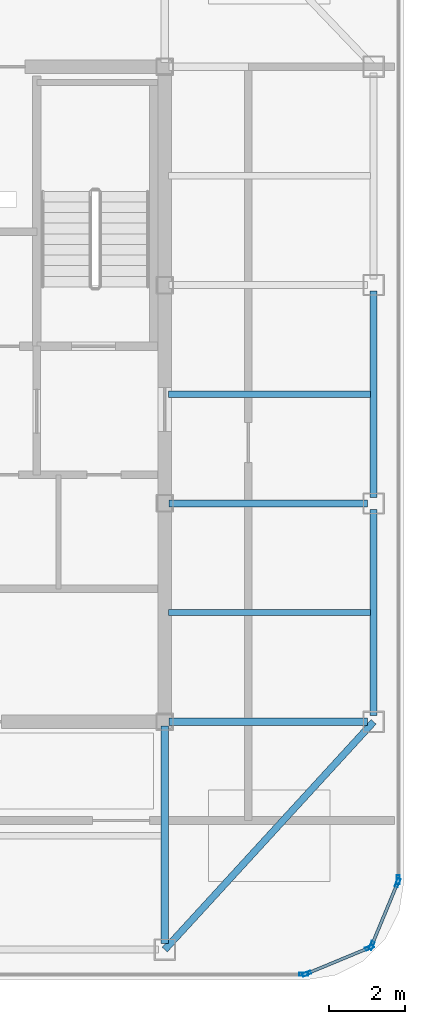
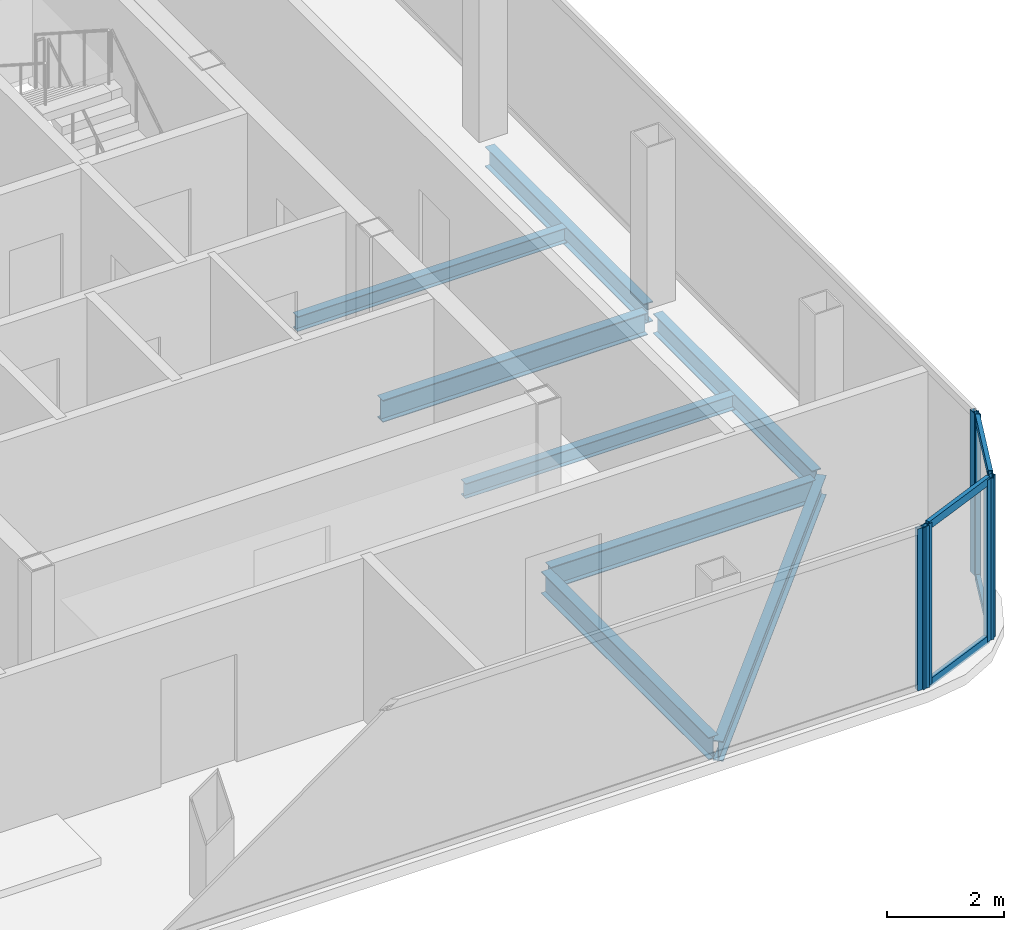
# One storey, part 4 of 11: 10 members, 8 beams, 4 elements without a shape of their own.
"""IFC4 building model written with IfcOpenShell, lengths in metres."""

import ifcopenshell
import ifcopenshell.guid

model = None  # the IFC model being written
_history = None  # IfcOwnerHistory: only IFC2X3 demands one
_inside = {}  # id of a spatial element -> (the spatial element, [elements in it])
_under = {}  # id of a project, library or spatial element -> (it, [spatial elements below it])
_declared = {}  # id of a project -> (the project, [libraries it declares])
_typed = {}  # id of a type object -> (the type object, [elements of that type])
_made_of = {}  # id of a material, layer set ... -> (it, [elements and type objects made of it])


def new_model(schema):
    """Start an empty IFC model of exactly this schema.

    Asked for "IFC4X3", IfcOpenShell would pick the latest addendum, in which some entities
    have other attributes; the version numbers below select the first issue.
    IFC2X3 requires an IfcOwnerHistory on every rooted entity: one is made here for all.
    """
    global model, _history
    if schema == "IFC4X3":
        model = ifcopenshell.file(schema_version=(4, 3, 0, 0))
    else:
        model = ifcopenshell.file(schema=schema)
    _inside.clear()
    _under.clear()
    _declared.clear()
    _typed.clear()
    _made_of.clear()
    _history = None
    if model.schema == "IFC2X3":
        org = make("IfcOrganization", Name="unknown")
        user = make(
            "IfcPersonAndOrganization",
            ThePerson=make("IfcPerson", FamilyName="unknown"),
            TheOrganization=org,
        )
        app = make(
            "IfcApplication",
            ApplicationDeveloper=org,
            Version="unknown",
            ApplicationFullName="unknown",
            ApplicationIdentifier="unknown",
        )
        _history = make(
            "IfcOwnerHistory",
            OwningUser=user,
            OwningApplication=app,
            ChangeAction="ADDED",
            CreationDate=0,
        )
    return model


def make(cls, **values):
    """One entity of the class cls with the attributes given. An attribute that is None is left unset."""
    return model.create_entity(
        cls, **{name: value for name, value in values.items() if value is not None}
    )


def rooted(cls, **values):
    """An entity with a GlobalId (a new one), such as an element, a storey or a relation."""
    return make(cls, GlobalId=ifcopenshell.guid.new(), OwnerHistory=_history, **values)


def si_unit(unit_type, name, prefix=None):
    """IfcSIUnit, for example si_unit("LENGTHUNIT", "METRE", prefix="MILLI")."""
    return make("IfcSIUnit", UnitType=unit_type, Prefix=prefix, Name=name)


def assignment(units):
    """IfcUnitAssignment: the units of a project."""
    return None if units is None else make("IfcUnitAssignment", Units=units)


def point(xyz):
    """IfcCartesianPoint."""
    return None if xyz is None else make("IfcCartesianPoint", Coordinates=xyz)


def direction(xyz):
    """IfcDirection."""
    return None if xyz is None else make("IfcDirection", DirectionRatios=xyz)


def frame(location, z_axis=None, x_axis=None):
    """IfcAxis2Placement3D, a coordinate frame: its origin and axes. An axis left out is left unset."""
    return make(
        "IfcAxis2Placement3D",
        Location=point(location),
        Axis=direction(z_axis),
        RefDirection=direction(x_axis),
    )


def frame_2d(location, x_axis=None):
    """IfcAxis2Placement2D, a coordinate frame in the plane: its origin and x axis."""
    return make(
        "IfcAxis2Placement2D", Location=point(location), RefDirection=direction(x_axis)
    )


def origin():
    """The frame at (0, 0, 0) with its axes left unset."""
    return frame((0.0, 0.0, 0.0))


def origin_2d():
    """The frame at (0, 0) in the plane with its x axis left unset."""
    return frame_2d((0.0, 0.0))


def place(relative_to, where):
    """IfcLocalPlacement: puts the frame where relative to a parent placement (None: the world)."""
    return make(
        "IfcLocalPlacement", PlacementRelTo=relative_to, RelativePlacement=where
    )


def context(
    kind, dimensions, precision=None, world=None, true_north=None, identifier=None
):
    """IfcGeometricRepresentationContext, for example the 3D "Model" context."""
    return make(
        "IfcGeometricRepresentationContext",
        ContextIdentifier=identifier,
        ContextType=kind,
        CoordinateSpaceDimension=dimensions,
        Precision=precision,
        WorldCoordinateSystem=world,
        TrueNorth=true_north,
    )


def subcontext(parent, identifier, kind, view, scale=None):
    """IfcGeometricRepresentationSubContext, for example "Body" below "Model"."""
    return make(
        "IfcGeometricRepresentationSubContext",
        ContextIdentifier=identifier,
        ContextType=kind,
        ParentContext=parent,
        TargetScale=scale,
        TargetView=view,
    )


def project(units=None, contexts=None):
    """IfcProject with its units and contexts."""
    return rooted(
        "IfcProject",
        Name="project",
        RepresentationContexts=contexts,
        UnitsInContext=assignment(units),
    )


def spatial(cls, under=None, at=None, **own):
    """A site, building, storey or space (cls), placed at a placement, below another one or the project."""
    s = rooted(cls, ObjectPlacement=at, **own)
    if under is not None:
        _under.setdefault(under.id(), (under, []))[1].append(s)
    return s


def profile(cls, at=None, kind="AREA", **sizes):
    """A parametric profile (cls). Its sizes go by their IFC names, for example OverallWidth=200.0."""
    return make(cls, ProfileType=kind, Position=at, **sizes)


def hollow_rectangle(**sizes):
    """IfcRectangleHollowProfileDef."""
    return profile("IfcRectangleHollowProfileDef", **sizes)


def i_section(**sizes):
    """IfcIShapeProfileDef."""
    return profile("IfcIShapeProfileDef", **sizes)


def extrude(swept, where, along, depth):
    """IfcExtrudedAreaSolid: the profile swept, set in the frame where, extruded along a direction by depth."""
    return make(
        "IfcExtrudedAreaSolid",
        SweptArea=swept,
        Position=where,
        ExtrudedDirection=direction(along),
        Depth=depth,
    )


def shape(context_of_items, identifier, shape_type, items):
    """IfcShapeRepresentation: the items that make up one representation, for example the "Body"."""
    return make(
        "IfcShapeRepresentation",
        ContextOfItems=context_of_items,
        RepresentationIdentifier=identifier,
        RepresentationType=shape_type,
        Items=items,
    )


def source(mapping_origin, context_of_items, identifier, shape_type, items):
    """IfcRepresentationMap: a shape defined once, which mapped items show again and again."""
    return make(
        "IfcRepresentationMap",
        MappingOrigin=mapping_origin,
        MappedRepresentation=shape(context_of_items, identifier, shape_type, items),
    )


def transform(
    local_origin,
    x_axis=None,
    y_axis=None,
    z_axis=None,
    scale=None,
    scale2=None,
    scale3=None,
    uniform=True,
):
    """IfcCartesianTransformationOperator3D, or its non-uniform kind. x_axis, y_axis, z_axis: its Axis1, 2, 3."""
    if uniform:
        return make(
            "IfcCartesianTransformationOperator3D",
            Axis1=direction(x_axis),
            Axis2=direction(y_axis),
            LocalOrigin=point(local_origin),
            Scale=scale,
            Axis3=direction(z_axis),
        )
    return make(
        "IfcCartesianTransformationOperator3DnonUniform",
        Axis1=direction(x_axis),
        Axis2=direction(y_axis),
        LocalOrigin=point(local_origin),
        Scale=scale,
        Axis3=direction(z_axis),
        Scale2=scale2,
        Scale3=scale3,
    )


def mapped(mapping_source, mapping_target):
    """IfcMappedItem: shows the shape of a source again, moved by a transform."""
    return make(
        "IfcMappedItem", MappingSource=mapping_source, MappingTarget=mapping_target
    )


def material(Name=None, Category=None):
    """IfcMaterial."""
    return make("IfcMaterial", Name=Name, Category=Category)


def layer(
    of_material, thickness, ventilated=None, Name=None, Category=None, Priority=None
):
    """IfcMaterialLayer: one layer of a wall or slab, of a material (None: an air gap)."""
    return make(
        "IfcMaterialLayer",
        Material=of_material,
        LayerThickness=thickness,
        IsVentilated=ventilated,
        Name=Name,
        Category=Category,
        Priority=Priority,
    )


def layer_set(layers, Name=None):
    """IfcMaterialLayerSet."""
    return make("IfcMaterialLayerSet", MaterialLayers=layers, LayerSetName=Name)


def material_profile(
    of_material, cross_section, Name=None, Category=None, Priority=None
):
    """IfcMaterialProfile: a cross section and its material."""
    return make(
        "IfcMaterialProfile",
        Name=Name,
        Material=of_material,
        Profile=cross_section,
        Priority=Priority,
        Category=Category,
    )


def profile_set(profiles, Name=None, composite=None):
    """IfcMaterialProfileSet."""
    return make(
        "IfcMaterialProfileSet",
        Name=Name,
        MaterialProfiles=profiles,
        CompositeProfile=composite,
    )


def made_of(thing, what):
    """Note that an element or type object is made of a material, layer set ...; save() writes the relation."""
    if what is not None:
        _made_of.setdefault(what.id(), (what, []))[1].append(thing)
    return thing


def type_object(cls, material=None, **own):
    """A type object (cls), such as IfcWallType, which elements share."""
    return made_of(rooted(cls, **own), material)


def element(
    cls,
    number,
    at=None,
    inside=None,
    cuts=None,
    type_object=None,
    material=None,
    context=None,
    identifier="Body",
    shape_type=None,
    held_by="IfcProductDefinitionShape",
    body=None,
    shapes=None,
    **own,
):
    """One element of the class cls, such as IfcWall. Its Tag is "e" and its number.

    at: its placement. inside: the storey or other place that contains it. cuts: it is an
    opening in that element (IfcRelVoidsElement). A single representation is given by context,
    identifier, shape_type and body (its items); several are given by shapes. held_by: the class
    of the entity that holds the representations. save() writes the other relations.
    """
    e = rooted(cls, Tag="e%d" % number, ObjectPlacement=at, **own)
    if body is not None:
        shapes = [shape(context, identifier, shape_type, body)]
    if shapes is not None:
        e.Representation = make(held_by, Representations=shapes)
    if inside is not None:
        _inside.setdefault(inside.id(), (inside, []))[1].append(e)
    if cuts is not None:
        rooted(
            "IfcRelVoidsElement", RelatingBuildingElement=cuts, RelatedOpeningElement=e
        )
    if type_object is not None:
        _typed.setdefault(type_object.id(), (type_object, []))[1].append(e)
    return made_of(e, material)


def aggregate(whole, parts):
    """IfcRelAggregates: a whole, such as a stair, and the parts it consists of."""
    return rooted("IfcRelAggregates", RelatingObject=whole, RelatedObjects=parts)


def save(model, path):
    """Write the relations noted so far, then the file.

    IfcRelAggregates (storeys below a building ...), IfcRelContainedInSpatialStructure (elements
    in a storey), IfcRelDefinesByType, IfcRelAssociatesMaterial and IfcRelDeclares: one each for
    every whole, place, type object, material and project.
    """
    for whole, parts in _under.values():
        aggregate(whole, parts)
    for where, things in _inside.values():
        rooted(
            "IfcRelContainedInSpatialStructure",
            RelatedElements=things,
            RelatingStructure=where,
        )
    for kind, things in _typed.values():
        rooted("IfcRelDefinesByType", RelatedObjects=things, RelatingType=kind)
    for what, things in _made_of.values():
        rooted("IfcRelAssociatesMaterial", RelatedObjects=things, RelatingMaterial=what)
    for by, libraries in _declared.values():
        rooted("IfcRelDeclares", RelatingContext=by, RelatedDefinitions=libraries)
    model.write(path)


model = new_model("IFC4")

# Units and contexts
model_context = context("Model", 3, precision=1e-05, world=origin(), true_north=direction((0.0, 1.0)))
body_context = subcontext(model_context, "Body", "Model", "MODEL_VIEW")
ifc_project = project(units=[si_unit("LENGTHUNIT", "METRE"), si_unit("AREAUNIT", "SQUARE_METRE"), si_unit("VOLUMEUNIT", "CUBIC_METRE"), si_unit("PLANEANGLEUNIT", "RADIAN"), si_unit("MASSUNIT", "GRAM", prefix="KILO")], contexts=[model_context])

# Site, building, storey
site_placement = place(None, origin())
site = spatial("IfcSite", under=ifc_project, at=site_placement, CompositionType="ELEMENT")
building_placement = place(site_placement, origin())
building = spatial("IfcBuilding", under=site, at=building_placement, Name="Kolveth Station Tower", CompositionType="ELEMENT")
storey_placement = place(building_placement, frame((0.0, 0.0, 289.300048828125)))
storey = spatial("IfcBuildingStorey", under=building, at=storey_placement, Name="L83", CompositionType="ELEMENT", Elevation=289.300048828125)

# Beams
ifc_material_1 = material(Name="Steel S355", Category="steel")
ifc_material_profile_1 = material_profile(ifc_material_1, i_section(OverallWidth=0.180908203125, OverallDepth=0.4169921875, WebThickness=0.010986328125, FlangeThickness=0.018310546875, at=origin_2d()), Name="W410x85")
ifc_profile_set_1 = profile_set([ifc_material_profile_1], Name="Steel S355")
beam_type_1 = type_object("IfcBeamType", Name="Beam_B8", PredefinedType="BEAM", material=ifc_profile_set_1)
shared_shape_1 = source(origin(), body_context, "Body", "SweptSolid", [
    extrude(i_section(OverallWidth=0.180908203125, OverallDepth=0.4169921875, WebThickness=0.010986328125, FlangeThickness=0.018310546875, at=origin_2d()), origin(), (0.0, 0.0, 1.0), 5.43017578125),
])
for number, where, z_axis, x_axis, name in (
    (1, (34.0, 11.659912109375, -0.428466796875), (0.0, 1.0, 0.0), (-1.0, 0.0, 0.0), "L83 Perimeter Spandrel BM-L83-PE-1"),
    (2, (34.0, 17.409912109375, -0.428466796875), (0.0, 1.0, 0.0), (-1.0, 0.0, 0.0), "L83 Perimeter Spandrel BM-L83-PE-2"),
):
    element("IfcBeam", number, at=place(storey_placement, frame(where, z_axis=z_axis, x_axis=x_axis)), inside=storey, type_object=beam_type_1, Name=name, PredefinedType="BEAM", context=body_context, shape_type="MappedRepresentation", body=[
        mapped(shared_shape_1, transform((0.0, 0.0, 0.0), x_axis=(1.0, 0.0, 0.0), y_axis=(0.0, 1.0, 0.0), z_axis=(0.0, 0.0, 1.0), scale=1.0)),
    ])
ifc_material_profile_2 = material_profile(ifc_material_1, i_section(OverallWidth=0.19091796875, OverallDepth=0.4599609375, WebThickness=0.010009765625, FlangeThickness=0.01611328125, at=origin_2d()), Name="W460x82")
ifc_profile_set_2 = profile_set([ifc_material_profile_2], Name="Steel S355")
beam_type_2 = type_object("IfcBeamType", Name="Beam_B7", PredefinedType="BEAM", material=ifc_profile_set_2)
shared_shape_2 = source(origin(), body_context, "Body", "SweptSolid", [
    extrude(i_section(OverallWidth=0.19091796875, OverallDepth=0.4599609375, WebThickness=0.010009765625, FlangeThickness=0.01611328125, at=origin_2d()), origin(), (0.0, 0.0, 1.0), 5.22998046875),
])
for number, where, z_axis, x_axis, name in (
    (3, (28.610107421875, 11.5, -0.449951171875), (1.0, 0.0, 0.0), (0.0, 1.0, 0.0), "L83 Primary Girder BM-L83-GY115-3"),
    (4, (28.610107421875, 17.25, -0.449951171875), (1.0, 0.0, 0.0), (0.0, 1.0, 0.0), "L83 Primary Girder BM-L83-GY172-3"),
):
    element("IfcBeam", number, at=place(storey_placement, frame(where, z_axis=z_axis, x_axis=x_axis)), inside=storey, type_object=beam_type_2, Name=name, PredefinedType="BEAM", context=body_context, shape_type="MappedRepresentation", body=[
        mapped(shared_shape_2, transform((0.0, 0.0, 0.0), x_axis=(1.0, 0.0, 0.0), y_axis=(0.0, 1.0, 0.0), z_axis=(0.0, 0.0, 1.0), scale=1.0)),
    ])
shared_shape_3 = source(origin(), body_context, "Body", "SweptSolid", [
    extrude(i_section(OverallWidth=0.19091796875, OverallDepth=0.4599609375, WebThickness=0.010009765625, FlangeThickness=0.01611328125, at=origin_2d()), origin(), (0.0, 0.0, 1.0), 5.72998046875),
])
beam_1_placement = place(storey_placement, frame((28.5, 5.659912109375, -0.449951171875), z_axis=(0.0, 1.0, 0.0), x_axis=(-1.0, 0.0, 0.0)))
element("IfcBeam", 5, at=beam_1_placement, inside=storey, type_object=beam_type_2, Name="L83 Primary Girder BM-L83-GX285-1", PredefinedType="BEAM", context=body_context, shape_type="MappedRepresentation", body=[
    mapped(shared_shape_3, transform((0.0, 0.0, 0.0), x_axis=(1.0, 0.0, 0.0), y_axis=(0.0, 1.0, 0.0), z_axis=(0.0, 0.0, 1.0), scale=1.0)),
])
shared_shape_4 = source(origin(), body_context, "Body", "SweptSolid", [
    extrude(i_section(OverallWidth=0.180908203125, OverallDepth=0.4169921875, WebThickness=0.010986328125, FlangeThickness=0.018310546875, at=origin_2d()), origin(), (0.0, 0.0, 1.0), 8.139404296875),
])
beam_2_placement = place(storey_placement, frame((28.5, 5.5, -0.428466796875), z_axis=(0.675724628517, 0.737154140201, 0.0), x_axis=(-0.737154140201, 0.675724628517, 0.0)))
element("IfcBeam", 6, at=beam_2_placement, inside=storey, type_object=beam_type_1, Name="L83 Corner Edge Girder BM-L83-CNR-SE", PredefinedType="BEAM", context=body_context, shape_type="MappedRepresentation", body=[
    mapped(shared_shape_4, transform((0.0, 0.0, 0.0), x_axis=(1.0, 0.0, 0.0), y_axis=(0.0, 1.0, 0.0), z_axis=(0.0, 0.0, 1.0), scale=1.0)),
])
ifc_material_profile_3 = material_profile(ifc_material_1, i_section(OverallWidth=0.1650390625, OverallDepth=0.31005859375, WebThickness=0.005859375, FlangeThickness=0.009765625, at=origin_2d()), Name="W310x39")
ifc_profile_set_3 = profile_set([ifc_material_profile_3], Name="Steel S355")
beam_type_3 = type_object("IfcBeamType", Name="Beam_J3", PredefinedType="JOIST", material=ifc_profile_set_3)
shared_shape_5 = source(origin(), body_context, "Body", "SweptSolid", [
    extrude(i_section(OverallWidth=0.1650390625, OverallDepth=0.31005859375, WebThickness=0.005859375, FlangeThickness=0.009765625, at=origin_2d()), origin(), (0.0, 0.0, 1.0), 5.318115234375),
])
for number, where, z_axis, x_axis, name in (
    (7, (28.593505859375, 14.375, -0.375), (1.0, 0.0, 0.0), (0.0, 1.0, 0.0), "L83 Secondary Joist JST-L83-3-2"),
    (8, (28.593505859375, 20.125, -0.375), (1.0, 0.0, 0.0), (0.0, 1.0, 0.0), "L83 Secondary Joist JST-L83-3-3"),
):
    element("IfcBeam", number, at=place(storey_placement, frame(where, z_axis=z_axis, x_axis=x_axis)), inside=storey, type_object=beam_type_3, Name=name, PredefinedType="JOIST", context=body_context, shape_type="MappedRepresentation", body=[
        mapped(shared_shape_5, transform((0.0, 0.0, 0.0), x_axis=(1.0, 0.0, 0.0), y_axis=(0.0, 1.0, 0.0), z_axis=(0.0, 0.0, 1.0), scale=1.0)),
    ])

# Curtain wall, members
ifc_material_2 = material(Name="Black anodized aluminium 6063-T6 and dark crown glass", Category="aluminium")
ifc_layer = layer(ifc_material_2, 0.169921875)
ifc_layer_set = layer_set([ifc_layer], Name="Black anodized aluminium 6063-T6 and dark crown glass")
curtain_wall_type = type_object("IfcCurtainWallType", Name="CurtainWall_CW-CR", PredefinedType="NOTDEFINED", material=ifc_layer_set)
curtain_wall_1_placement = place(storey_placement, origin())
curtain_wall_1 = element("IfcCurtainWall", 9, at=curtain_wall_1_placement, inside=storey, type_object=curtain_wall_type, Name="L83 Stepped Crown Curtain Wall 1", PredefinedType="NOTDEFINED")
ifc_material_3 = material(Name="Black anodized aluminium 6063-T6", Category="aluminium")
ifc_material_profile_4 = material_profile(ifc_material_3, hollow_rectangle(XDim=0.0849609375, YDim=0.22998046875, WallThickness=0.0048828125, at=origin_2d()), Name="ALU-85x230x5")
ifc_profile_set_4 = profile_set([ifc_material_profile_4], Name="Black anodized aluminium 6063-T6")
member_type_1 = type_object("IfcMemberType", Name="Mullion_ML-CR", PredefinedType="MULLION", material=ifc_profile_set_4)
shared_shape_6 = source(origin(), body_context, "Body", "SweptSolid", [
    extrude(hollow_rectangle(XDim=0.0849609375, YDim=0.22998046875, WallThickness=0.0048828125, at=origin_2d()), origin(), (0.0, 0.0, 1.0), 3.3798828125),
])
member_1_placement = place(storey_placement, frame((32.2392578125, 4.8662109375, 0.0), z_axis=(0.0, 0.0, 1.0), x_axis=(-0.382690908701, 0.923876435676, 0.0)))
member_1 = element("IfcMember", 10, at=member_1_placement, type_object=member_type_1, Name="CW-CR mullion 1", PredefinedType="MULLION", context=body_context, shape_type="MappedRepresentation", body=[
    mapped(shared_shape_6, transform((0.0, 0.0, 0.0), x_axis=(1.0, 0.0, 0.0), y_axis=(0.0, 1.0, 0.0), z_axis=(0.0, 0.0, 1.0), scale=1.0)),
])
member_2_placement = place(storey_placement, frame((33.89306640625, 5.55126953125, 0.0), z_axis=(0.0, 0.0, 1.0), x_axis=(-0.382690908701, 0.923876435676, 0.0)))
member_2 = element("IfcMember", 11, at=member_2_placement, type_object=member_type_1, Name="CW-CR mullion 2", PredefinedType="MULLION", context=body_context, shape_type="MappedRepresentation", body=[
    mapped(shared_shape_6, transform((0.0, 0.0, 0.0), x_axis=(1.0, 0.0, 0.0), y_axis=(0.0, 1.0, 0.0), z_axis=(0.0, 0.0, 1.0), scale=1.0)),
])

curtain_wall_2_placement = place(storey_placement, origin())
curtain_wall_2 = element("IfcCurtainWall", 12, at=curtain_wall_2_placement, inside=storey, type_object=curtain_wall_type, Name="L83 Stepped Crown Curtain Wall 2", PredefinedType="NOTDEFINED")
member_3_placement = place(storey_placement, frame((33.94873046875, 5.60693359375, 0.0), z_axis=(0.0, 0.0, 1.0), x_axis=(-0.923876435676, 0.382690908701, 0.0)))
member_3 = element("IfcMember", 13, at=member_3_placement, type_object=member_type_1, Name="CW-CR mullion 1", PredefinedType="MULLION", context=body_context, shape_type="MappedRepresentation", body=[
    mapped(shared_shape_6, transform((0.0, 0.0, 0.0), x_axis=(1.0, 0.0, 0.0), y_axis=(0.0, 1.0, 0.0), z_axis=(0.0, 0.0, 1.0), scale=1.0)),
])
member_4_placement = place(storey_placement, frame((34.6337890625, 7.2607421875, 0.0), z_axis=(0.0, 0.0, 1.0), x_axis=(-0.923876435676, 0.382690908701, 0.0)))
member_4 = element("IfcMember", 14, at=member_4_placement, type_object=member_type_1, Name="CW-CR mullion 2", PredefinedType="MULLION", context=body_context, shape_type="MappedRepresentation", body=[
    mapped(shared_shape_6, transform((0.0, 0.0, 0.0), x_axis=(1.0, 0.0, 0.0), y_axis=(0.0, 1.0, 0.0), z_axis=(0.0, 0.0, 1.0), scale=1.0)),
])

# Curtain wall, member
curtain_wall_3_placement = place(storey_placement, origin())
curtain_wall_3 = element("IfcCurtainWall", 15, at=curtain_wall_3_placement, inside=storey, type_object=curtain_wall_type, Name="L83 Stepped Crown Curtain Wall 3", PredefinedType="NOTDEFINED")
member_5_placement = place(storey_placement, frame((34.64990234375, 7.342529296875, 0.0), z_axis=(0.0, 0.0, 1.0), x_axis=(-1.0, 0.0, 0.0)))
member_5 = element("IfcMember", 16, at=member_5_placement, type_object=member_type_1, Name="CW-CR mullion 1", PredefinedType="MULLION", context=body_context, shape_type="MappedRepresentation", body=[
    mapped(shared_shape_6, transform((0.0, 0.0, 0.0), x_axis=(1.0, 0.0, 0.0), y_axis=(0.0, 1.0, 0.0), z_axis=(0.0, 0.0, 1.0), scale=1.0)),
])
aggregate(curtain_wall_3, [member_5])

curtain_wall_4_placement = place(storey_placement, origin())
curtain_wall_4 = element("IfcCurtainWall", 17, at=curtain_wall_4_placement, inside=storey, type_object=curtain_wall_type, Name="L83 Stepped Crown Curtain Wall 12", PredefinedType="NOTDEFINED")
member_6_placement = place(storey_placement, frame((32.157470703125, 4.85009765625, 0.0), z_axis=(0.0, 0.0, 1.0), x_axis=(0.0, 1.0, 0.0)))
member_6 = element("IfcMember", 18, at=member_6_placement, type_object=member_type_1, Name="CW-CR mullion 2", PredefinedType="MULLION", context=body_context, shape_type="MappedRepresentation", body=[
    mapped(shared_shape_6, transform((0.0, 0.0, 0.0), x_axis=(1.0, 0.0, 0.0), y_axis=(0.0, 1.0, 0.0), z_axis=(0.0, 0.0, 1.0), scale=1.0)),
])
aggregate(curtain_wall_4, [member_6])

# Member
ifc_material_profile_5 = material_profile(ifc_material_3, hollow_rectangle(XDim=0.080078125, YDim=0.1650390625, WallThickness=0.0048828125, at=origin_2d()), Name="ALU-80x165x5")
ifc_profile_set_5 = profile_set([ifc_material_profile_5], Name="Black anodized aluminium 6063-T6")
member_type_2 = type_object("IfcMemberType", Name="Transom_TR-CR", PredefinedType="USERDEFINED", material=ifc_profile_set_5)
shared_shape_7 = source(origin(), body_context, "Body", "SweptSolid", [
    extrude(hollow_rectangle(XDim=0.080078125, YDim=0.1650390625, WallThickness=0.0048828125, at=origin_2d()), origin(), (0.0, 0.0, 1.0), 1.705078125),
])
member_7_placement = place(storey_placement, frame((32.278564453125, 4.882568359375, 0.0400390625), z_axis=(0.923854516996, 0.38274381958, 0.0), x_axis=(-0.38274381958, 0.923854516996, 0.0)))
member_7 = element("IfcMember", 19, at=member_7_placement, type_object=member_type_2, Name="CW-CR transom 1.1", ObjectType="TRANSOM", PredefinedType="USERDEFINED", context=body_context, shape_type="MappedRepresentation", body=[
    mapped(shared_shape_7, transform((0.0, 0.0, 0.0), x_axis=(1.0, 0.0, 0.0), y_axis=(0.0, 1.0, 0.0), z_axis=(0.0, 0.0, 1.0), scale=1.0)),
])

member_8_placement = place(storey_placement, frame((32.278564453125, 4.882568359375, 3.33984375), z_axis=(0.923854516996, 0.38274381958, 0.0), x_axis=(-0.38274381958, 0.923854516996, 0.0)))
member_8 = element("IfcMember", 20, at=member_8_placement, type_object=member_type_2, Name="CW-CR transom 1.2", ObjectType="TRANSOM", PredefinedType="USERDEFINED", context=body_context, shape_type="MappedRepresentation", body=[
    mapped(shared_shape_7, transform((0.0, 0.0, 0.0), x_axis=(1.0, 0.0, 0.0), y_axis=(0.0, 1.0, 0.0), z_axis=(0.0, 0.0, 1.0), scale=1.0)),
])

aggregate(curtain_wall_1, [member_1, member_2, member_7, member_8])

member_9_placement = place(storey_placement, frame((33.96484375, 5.646240234375, 0.0400390625), z_axis=(0.38274381958, 0.923854516996, 0.0), x_axis=(-0.923854516996, 0.38274381958, 0.0)))
member_9 = element("IfcMember", 21, at=member_9_placement, type_object=member_type_2, Name="CW-CR transom 1.1", ObjectType="TRANSOM", PredefinedType="USERDEFINED", context=body_context, shape_type="MappedRepresentation", body=[
    mapped(shared_shape_7, transform((0.0, 0.0, 0.0), x_axis=(1.0, 0.0, 0.0), y_axis=(0.0, 1.0, 0.0), z_axis=(0.0, 0.0, 1.0), scale=1.0)),
])

member_10_placement = place(storey_placement, frame((33.96484375, 5.646240234375, 3.33984375), z_axis=(0.38274381958, 0.923854516996, 0.0), x_axis=(-0.923854516996, 0.38274381958, 0.0)))
member_10 = element("IfcMember", 22, at=member_10_placement, type_object=member_type_2, Name="CW-CR transom 1.2", ObjectType="TRANSOM", PredefinedType="USERDEFINED", context=body_context, shape_type="MappedRepresentation", body=[
    mapped(shared_shape_7, transform((0.0, 0.0, 0.0), x_axis=(1.0, 0.0, 0.0), y_axis=(0.0, 1.0, 0.0), z_axis=(0.0, 0.0, 1.0), scale=1.0)),
])

aggregate(curtain_wall_2, [member_3, member_4, member_9, member_10])

save(model, "model.ifc")
